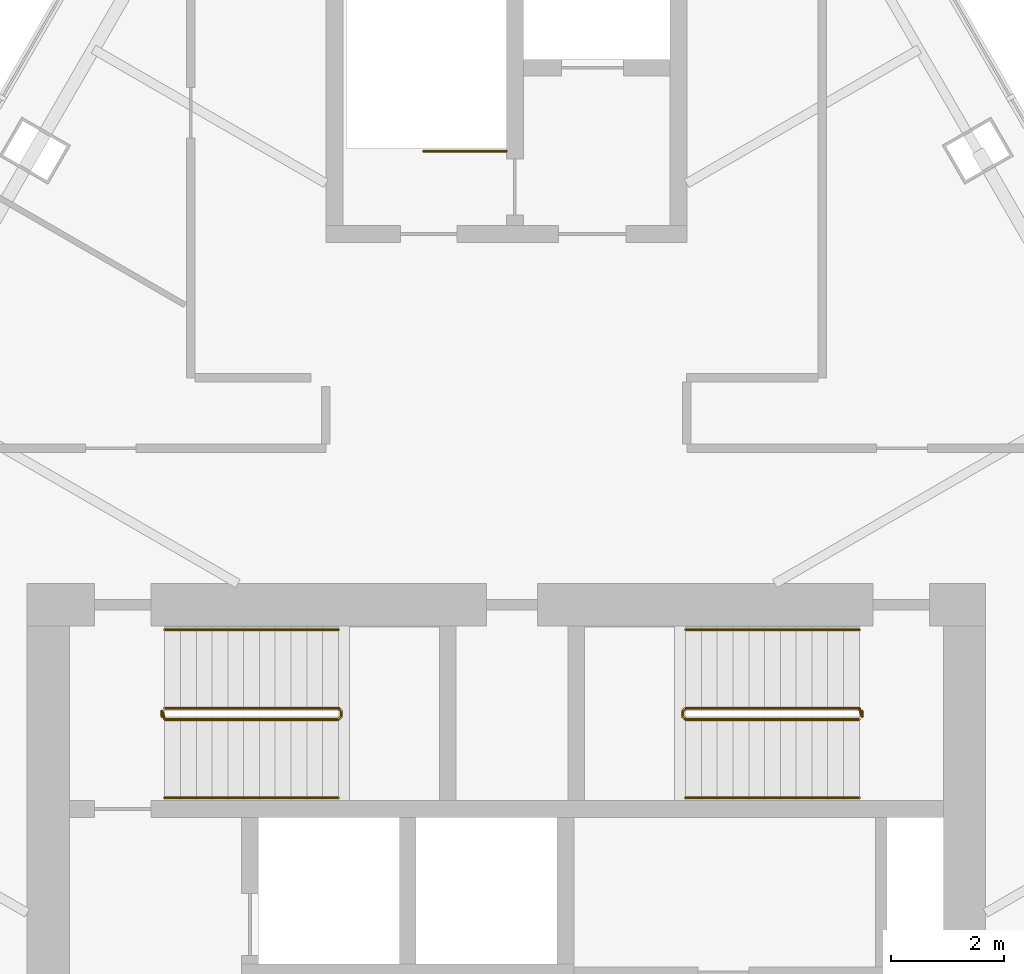
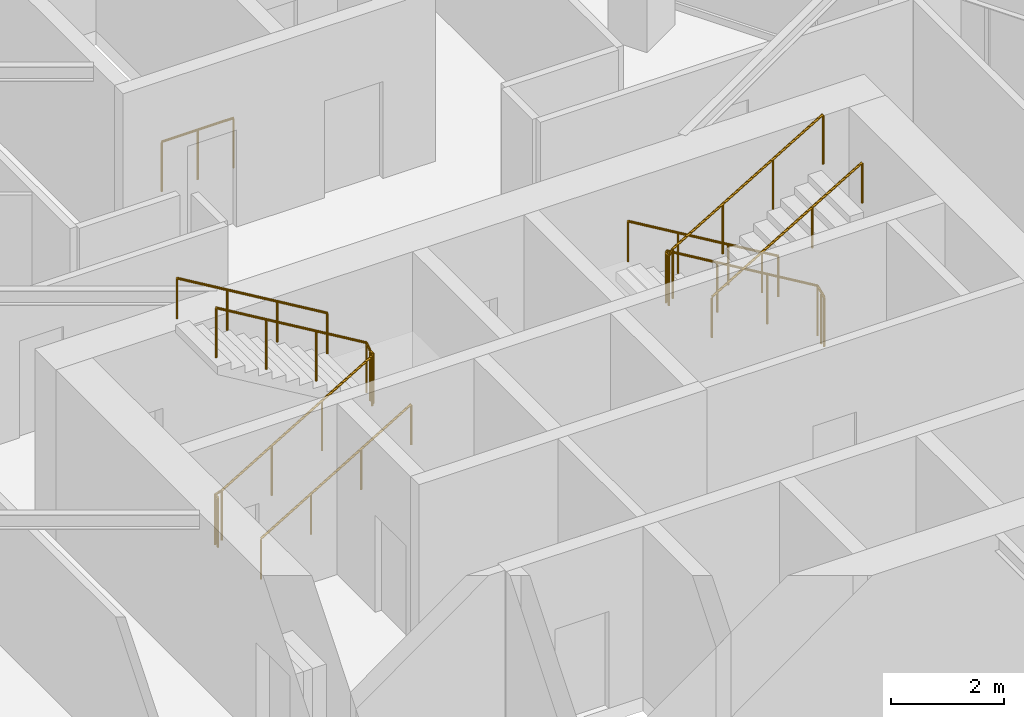
# One storey, part 13 of 13: 7 railings.
"""IFC4 building model written with IfcOpenShell, lengths in metres."""

from ifc_helpers import new_model, si_unit, direction, frame, origin, origin_2d, place, context, subcontext, project, spatial, circle, extrude, material, type_object, element, save


model = new_model("IFC4")

# Units and contexts
model_context = context("Model", 3, precision=1e-05, world=origin(), true_north=direction((0.0, 1.0)))
body_context = subcontext(model_context, "Body", "Model", "MODEL_VIEW")
ifc_project = project(units=[si_unit("LENGTHUNIT", "METRE"), si_unit("AREAUNIT", "SQUARE_METRE"), si_unit("VOLUMEUNIT", "CUBIC_METRE"), si_unit("PLANEANGLEUNIT", "RADIAN"), si_unit("MASSUNIT", "GRAM", prefix="KILO")], contexts=[model_context])

# Site, building, storey
site_placement = place(None, origin())
site = spatial("IfcSite", under=ifc_project, at=site_placement, CompositionType="ELEMENT")
building_placement = place(site_placement, origin())
building = spatial("IfcBuilding", under=site, at=building_placement, Name="Firuza Gate Tower and Library", CompositionType="ELEMENT")
storey_placement = place(building_placement, frame((0.0, 0.0, 335.60009765625)))
storey = spatial("IfcBuildingStorey", under=building, at=storey_placement, Name="L82", CompositionType="ELEMENT", Elevation=335.60009765625)

# Railings
ifc_material_1 = material(Name="Steel S355", Category="steel")
railing_type_1 = type_object("IfcRailingType", Name="Stair guard 1100", PredefinedType="GUARDRAIL", material=ifc_material_1)
railing_1_placement = place(storey_placement, frame((68.889892578125, 79.389892578125, 0.0)))
element("IfcRailing", 1, at=railing_1_placement, inside=storey, type_object=railing_type_1, Name="L82 ST1 stair guard 1", PredefinedType="GUARDRAIL", context=body_context, shape_type="SweptSolid", body=[
    extrude(circle(Radius=0.02392578125, at=origin_2d()), frame((0.0, 0.0, 1.076171875), z_axis=(0.0, 1.0, 0.0), x_axis=(-1.0, 0.0, 0.0)), (0.0, 0.0, 1.0), 0.10009765625),
    extrude(circle(Radius=0.02392578125, at=origin_2d()), frame((0.0, 0.10009765625, 1.076171875), z_axis=(0.218017880586, -0.652990139901, 0.725308266144), x_axis=(0.948528701346, 0.316691178788, 0.0)), (0.0, 0.0, 1.0), 0.2294921875),
    extrude(circle(Radius=0.02392578125, at=origin_2d()), frame((0.050048828125, -0.0498046875, 1.24267578125), z_axis=(0.85927862911, 0.0, 0.511507807912), x_axis=(0.0, 1.0, 0.0)), (0.0, 0.0, 1.0), 3.58447265625),
    extrude(circle(Radius=0.02392578125, at=origin_2d()), frame((3.130126953125, -0.0498046875, 3.076171875), z_axis=(0.708833529934, 0.705375805398, 0.0), x_axis=(-0.705375805398, 0.708833529934, 0.0)), (0.0, 0.0, 1.0), 0.070556640625),
    extrude(circle(Radius=0.02392578125, at=origin_2d()), frame((3.18017578125, 0.0, 3.076171875), z_axis=(0.0, 1.0, 0.0), x_axis=(-1.0, 0.0, 0.0)), (0.0, 0.0, 1.0), 0.10009765625),
    extrude(circle(Radius=0.02392578125, at=origin_2d()), frame((3.18017578125, 0.10009765625, 3.076171875), z_axis=(-0.27662974545, 0.27662974545, 0.920299933644), x_axis=(-0.707106781187, -0.707106781187, 0.0)), (0.0, 0.0, 1.0), 0.180908203125),
    extrude(circle(Radius=0.02392578125, at=origin_2d()), frame((3.130126953125, 0.150146484375, 3.24267578125), z_axis=(-0.85927862911, 0.0, 0.511507807912), x_axis=(0.0, -1.0, 0.0)), (0.0, 0.0, 1.0), 3.58447265625),
    extrude(circle(Radius=0.02099609375, at=origin_2d()), origin(), (0.0, 0.0, 1.0), 1.052001953125),
    extrude(circle(Radius=0.02099609375, at=origin_2d()), frame((0.0, 0.10009765625, 0.0)), (0.0, 0.0, 1.0), 1.052001953125),
    extrude(circle(Radius=0.02099609375, at=origin_2d()), frame((0.050048828125, -0.0498046875, 0.16650390625)), (0.0, 0.0, 1.0), 1.052001953125),
    extrude(circle(Radius=0.02099609375, at=origin_2d()), frame((1.07666015625, -0.0498046875, 0.777587890625)), (0.0, 0.0, 1.0), 1.052001953125),
    extrude(circle(Radius=0.02099609375, at=origin_2d()), frame((2.103515625, -0.0498046875, 1.388916015625)), (0.0, 0.0, 1.0), 1.052001953125),
    extrude(circle(Radius=0.02099609375, at=origin_2d()), frame((3.130126953125, -0.0498046875, 2.0)), (0.0, 0.0, 1.0), 1.052001953125),
    extrude(circle(Radius=0.02099609375, at=origin_2d()), frame((3.18017578125, 0.0, 2.0)), (0.0, 0.0, 1.0), 1.052001953125),
    extrude(circle(Radius=0.02099609375, at=origin_2d()), frame((3.18017578125, 0.10009765625, 2.0)), (0.0, 0.0, 1.0), 1.052001953125),
    extrude(circle(Radius=0.02099609375, at=origin_2d()), frame((3.130126953125, 0.150146484375, 2.16650390625)), (0.0, 0.0, 1.0), 1.052001953125),
    extrude(circle(Radius=0.02099609375, at=origin_2d()), frame((2.103515625, 0.150146484375, 2.777587890625)), (0.0, 0.0, 1.0), 1.052001953125),
    extrude(circle(Radius=0.02099609375, at=origin_2d()), frame((1.07666015625, 0.150146484375, 3.388916015625)), (0.0, 0.0, 1.0), 1.052001953125),
    extrude(circle(Radius=0.02099609375, at=origin_2d()), frame((0.050048828125, 0.150146484375, 4.0)), (0.0, 0.0, 1.0), 1.052001953125),
])
railing_2_placement = place(storey_placement, frame((81.31005859375, 79.489990234375, 0.0)))
element("IfcRailing", 2, at=railing_2_placement, inside=storey, type_object=railing_type_1, Name="L82 ST2 stair guard 1", PredefinedType="GUARDRAIL", context=body_context, shape_type="SweptSolid", body=[
    extrude(circle(Radius=0.02392578125, at=origin_2d()), frame((0.0, 0.0, 1.076171875), z_axis=(0.0, -1.0, 0.0), x_axis=(1.0, 0.0, 0.0)), (0.0, 0.0, 1.0), 0.10009765625),
    extrude(circle(Radius=0.02392578125, at=origin_2d()), frame((0.0, -0.10009765625, 1.076171875), z_axis=(-0.217866511207, 0.653599533622, 0.724804686066), x_axis=(-0.948683298051, -0.316227766017, 0.0)), (0.0, 0.0, 1.0), 0.229736328125),
    extrude(circle(Radius=0.02392578125, at=origin_2d()), frame((-0.050048828125, 0.050048828125, 1.24267578125), z_axis=(-0.85927862911, 0.0, 0.511507807912), x_axis=(0.0, -1.0, 0.0)), (0.0, 0.0, 1.0), 3.58447265625),
    extrude(circle(Radius=0.02392578125, at=origin_2d()), frame((-3.130126953125, 0.050048828125, 3.076171875), z_axis=(-0.707106781187, -0.707106781187, 0.0), x_axis=(0.707106781187, -0.707106781187, 0.0)), (0.0, 0.0, 1.0), 0.07080078125),
    extrude(circle(Radius=0.02392578125, at=origin_2d()), frame((-3.18017578125, 0.0, 3.076171875), z_axis=(0.0, -1.0, 0.0), x_axis=(1.0, 0.0, 0.0)), (0.0, 0.0, 1.0), 0.10009765625),
    extrude(circle(Radius=0.02392578125, at=origin_2d()), frame((-3.18017578125, -0.10009765625, 3.076171875), z_axis=(0.276732813696, -0.275382897532, 0.920642824102), x_axis=(0.705375805398, 0.708833529934, 0.0)), (0.0, 0.0, 1.0), 0.180908203125),
    extrude(circle(Radius=0.02392578125, at=origin_2d()), frame((-3.130126953125, -0.14990234375, 3.24267578125), z_axis=(0.85927862911, 0.0, 0.511507807912), x_axis=(0.0, 1.0, 0.0)), (0.0, 0.0, 1.0), 3.58447265625),
    extrude(circle(Radius=0.02099609375, at=origin_2d()), origin(), (0.0, 0.0, 1.0), 1.052001953125),
    extrude(circle(Radius=0.02099609375, at=origin_2d()), frame((0.0, -0.10009765625, 0.0)), (0.0, 0.0, 1.0), 1.052001953125),
    extrude(circle(Radius=0.02099609375, at=origin_2d()), frame((-0.050048828125, 0.050048828125, 0.16650390625)), (0.0, 0.0, 1.0), 1.052001953125),
    extrude(circle(Radius=0.02099609375, at=origin_2d()), frame((-1.07666015625, 0.050048828125, 0.777587890625)), (0.0, 0.0, 1.0), 1.052001953125),
    extrude(circle(Radius=0.02099609375, at=origin_2d()), frame((-2.103515625, 0.050048828125, 1.388916015625)), (0.0, 0.0, 1.0), 1.052001953125),
    extrude(circle(Radius=0.02099609375, at=origin_2d()), frame((-3.130126953125, 0.050048828125, 2.0)), (0.0, 0.0, 1.0), 1.052001953125),
    extrude(circle(Radius=0.02099609375, at=origin_2d()), frame((-3.18017578125, 0.0, 2.0)), (0.0, 0.0, 1.0), 1.052001953125),
    extrude(circle(Radius=0.02099609375, at=origin_2d()), frame((-3.18017578125, -0.10009765625, 2.0)), (0.0, 0.0, 1.0), 1.052001953125),
    extrude(circle(Radius=0.02099609375, at=origin_2d()), frame((-3.130126953125, -0.14990234375, 2.16650390625)), (0.0, 0.0, 1.0), 1.052001953125),
    extrude(circle(Radius=0.02099609375, at=origin_2d()), frame((-2.103515625, -0.14990234375, 2.777587890625)), (0.0, 0.0, 1.0), 1.052001953125),
    extrude(circle(Radius=0.02099609375, at=origin_2d()), frame((-1.07666015625, -0.14990234375, 3.388916015625)), (0.0, 0.0, 1.0), 1.052001953125),
    extrude(circle(Radius=0.02099609375, at=origin_2d()), frame((-0.050048828125, -0.14990234375, 4.0)), (0.0, 0.0, 1.0), 1.052001953125),
])
railing_3_placement = place(storey_placement, frame((75.0, 89.419921875, 0.0)))
element("IfcRailing", 3, at=railing_3_placement, inside=storey, type_object=railing_type_1, Name="L82 ST3 top well guard 1", PredefinedType="GUARDRAIL", context=body_context, shape_type="SweptSolid", body=[
    extrude(circle(Radius=0.02392578125, at=origin_2d()), frame((0.0, 0.0, 1.076171875), z_axis=(-1.0, 0.0, 0.0), x_axis=(0.0, -1.0, 0.0)), (0.0, 0.0, 1.0), 1.469970703125),
    extrude(circle(Radius=0.02099609375, at=origin_2d()), origin(), (0.0, 0.0, 1.0), 1.052001953125),
    extrude(circle(Radius=0.02099609375, at=origin_2d()), frame((-0.73486328125, 0.0, 0.0)), (0.0, 0.0, 1.0), 1.052001953125),
    extrude(circle(Radius=0.02099609375, at=origin_2d()), frame((-1.469970703125, 0.0, 0.0)), (0.0, 0.0, 1.0), 1.052001953125),
])
ifc_material_2 = material(Name="Steel S355", Category="steel")
railing_type_2 = type_object("IfcRailingType", Name="Stair handrail 900", PredefinedType="HANDRAIL", material=ifc_material_2)
railing_4_placement = place(storey_placement, frame((68.93994140625, 77.949951171875, 0.16650390625)))
element("IfcRailing", 4, at=railing_4_placement, inside=storey, type_object=railing_type_2, Name="L82 ST1 stair handrail 1", PredefinedType="HANDRAIL", context=body_context, shape_type="SweptSolid", body=[
    extrude(circle(Radius=0.02392578125, at=origin_2d()), frame((0.0, 0.0, 0.8759765625), z_axis=(0.85927862911, 0.0, 0.511507807912), x_axis=(0.0, 1.0, 0.0)), (0.0, 0.0, 1.0), 3.58447265625),
    extrude(circle(Radius=0.02099609375, at=origin_2d()), origin(), (0.0, 0.0, 1.0), 0.851806640625),
    extrude(circle(Radius=0.02099609375, at=origin_2d()), frame((1.026611328125, 0.0, 0.611083984375)), (0.0, 0.0, 1.0), 0.851806640625),
    extrude(circle(Radius=0.02099609375, at=origin_2d()), frame((2.053466796875, 0.0, 1.222412109375)), (0.0, 0.0, 1.0), 0.851806640625),
    extrude(circle(Radius=0.02099609375, at=origin_2d()), frame((3.080078125, 0.0, 1.83349609375)), (0.0, 0.0, 1.0), 0.851806640625),
])
for number, where, name in (
    (5, (72.02001953125, 80.929931640625, 2.16650390625), "L82 ST1 stair handrail 2"),
    (6, (81.260009765625, 80.929931640625, 0.16650390625), "L82 ST2 stair handrail 1"),
):
    element("IfcRailing", number, at=place(storey_placement, frame(where)), inside=storey, type_object=railing_type_2, Name=name, PredefinedType="HANDRAIL", context=body_context, shape_type="SweptSolid", body=[
        extrude(circle(Radius=0.02392578125, at=origin_2d()), frame((0.0, 0.0, 0.8759765625), z_axis=(-0.85927862911, 0.0, 0.511507807912), x_axis=(0.0, -1.0, 0.0)), (0.0, 0.0, 1.0), 3.58447265625),
        extrude(circle(Radius=0.02099609375, at=origin_2d()), origin(), (0.0, 0.0, 1.0), 0.851806640625),
        extrude(circle(Radius=0.02099609375, at=origin_2d()), frame((-1.026611328125, 0.0, 0.611083984375)), (0.0, 0.0, 1.0), 0.851806640625),
        extrude(circle(Radius=0.02099609375, at=origin_2d()), frame((-2.053466796875, 0.0, 1.222412109375)), (0.0, 0.0, 1.0), 0.851806640625),
        extrude(circle(Radius=0.02099609375, at=origin_2d()), frame((-3.080078125, 0.0, 1.83349609375)), (0.0, 0.0, 1.0), 0.851806640625),
    ])
railing_5_placement = place(storey_placement, frame((78.179931640625, 77.949951171875, 2.16650390625)))
element("IfcRailing", 7, at=railing_5_placement, inside=storey, type_object=railing_type_2, Name="L82 ST2 stair handrail 2", PredefinedType="HANDRAIL", context=body_context, shape_type="SweptSolid", body=[
    extrude(circle(Radius=0.02392578125, at=origin_2d()), frame((0.0, 0.0, 0.8759765625), z_axis=(0.85927862911, 0.0, 0.511507807912), x_axis=(0.0, 1.0, 0.0)), (0.0, 0.0, 1.0), 3.58447265625),
    extrude(circle(Radius=0.02099609375, at=origin_2d()), origin(), (0.0, 0.0, 1.0), 0.851806640625),
    extrude(circle(Radius=0.02099609375, at=origin_2d()), frame((1.026611328125, 0.0, 0.611083984375)), (0.0, 0.0, 1.0), 0.851806640625),
    extrude(circle(Radius=0.02099609375, at=origin_2d()), frame((2.053466796875, 0.0, 1.222412109375)), (0.0, 0.0, 1.0), 0.851806640625),
    extrude(circle(Radius=0.02099609375, at=origin_2d()), frame((3.080078125, 0.0, 1.83349609375)), (0.0, 0.0, 1.0), 0.851806640625),
])

save(model, "model.ifc")
